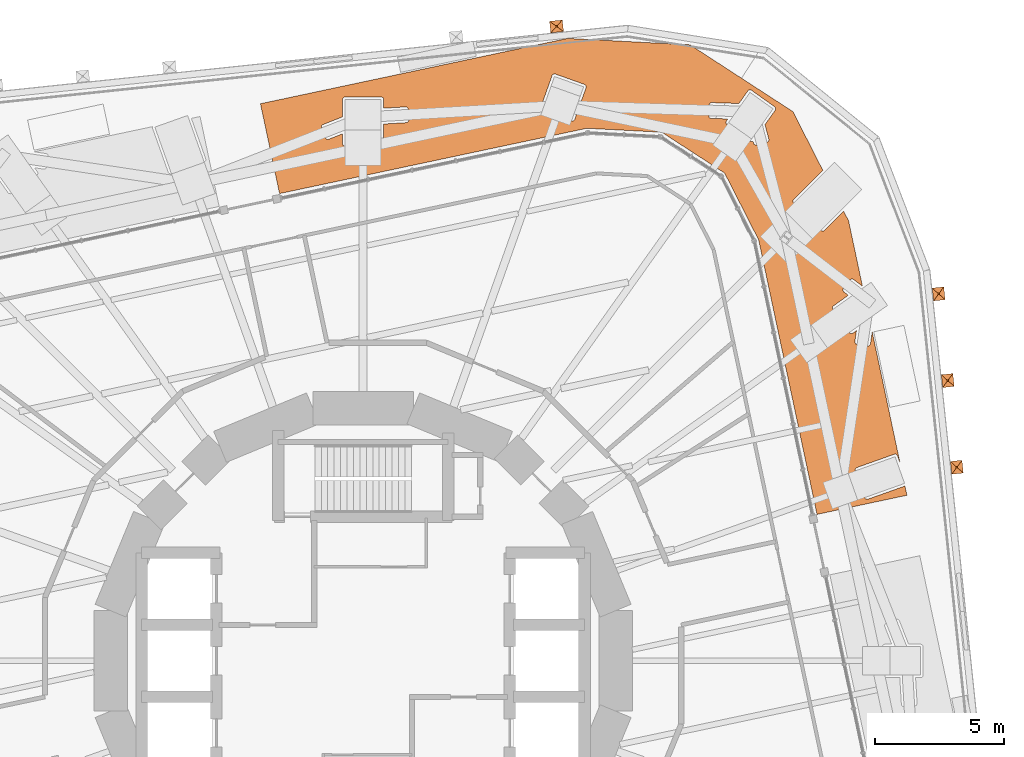
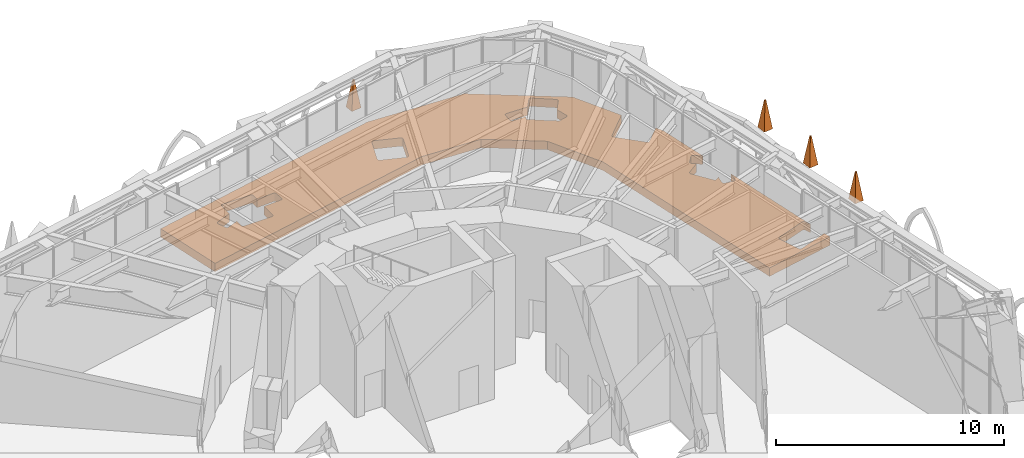
# One storey, part 23 of 23: 5 proxies.
"""IFC4 building model written with IfcOpenShell, lengths in metres."""

from ifc_helpers import new_model, entity, si_unit, direction, frame, origin, place, context, subcontext, project, spatial, polyline, outline, extrude, material, type_object, element, save


model = new_model("IFC4")

# Units and contexts
model_context = context("Model", 3, precision=1e-05, world=origin(), true_north=direction((0.0, 1.0)))
body_context = subcontext(model_context, "Body", "Model", "MODEL_VIEW")
ifc_project = project(units=[si_unit("LENGTHUNIT", "METRE"), si_unit("AREAUNIT", "SQUARE_METRE"), si_unit("VOLUMEUNIT", "CUBIC_METRE"), si_unit("PLANEANGLEUNIT", "RADIAN"), si_unit("MASSUNIT", "GRAM", prefix="KILO")], contexts=[model_context])

# Site, building, storey
site_placement = place(None, origin())
site = spatial("IfcSite", under=ifc_project, at=site_placement, CompositionType="ELEMENT")
building_placement = place(site_placement, origin())
building = spatial("IfcBuilding", under=site, at=building_placement, Name="Nakasero Lantern House", CompositionType="ELEMENT")
storey_placement = place(building_placement, frame((0.0, 0.0, 95.14990234375)))
storey = spatial("IfcBuildingStorey", under=building, at=storey_placement, Name="L23", CompositionType="ELEMENT", Elevation=95.14990234375)

# Proxies
ifc_material_1 = material(Name="Concrete C40/50 precast", Category="concrete")
building_element_proxy_type_1 = type_object("IfcBuildingElementProxyType", Name="Pinnacle 500x450", PredefinedType="USERDEFINED", material=ifc_material_1)
for number, where, z_axis, x_axis, name in (
    (1, (23.065185546875, 7.522216796875, 1.10009765625), (0.0, 0.0, 1.0), (0.994521895368, 0.104528463268, 0.0), "Pinnacle B2 0-02"),
    (2, (22.711181640625, 10.88916015625, 1.10009765625), (0.0, 0.0, 1.0), (0.994521895368, 0.104528463268, 0.0), "Pinnacle B2 0-03"),
    (3, (22.357421875, 14.256103515625, 1.10009765625), (0.0, 0.0, 1.0), (0.994521895368, 0.104528463268, 0.0), "Pinnacle B2 0-04"),
    (4, (7.514404296875, 24.6455078125, 1.10009765625), (0.0, 0.0, 1.0), (-0.104528463268, 0.994521895368, 0.0), "Pinnacle B2 1-00"),
):
    element("IfcBuildingElementProxy", number, at=place(storey_placement, frame(where, z_axis=z_axis, x_axis=x_axis)), inside=storey, type_object=building_element_proxy_type_1, Name=name, ObjectType="PINNACLE", PredefinedType="USERDEFINED", context=body_context, shape_type="SweptSolid", body=[
        entity("IfcExtrudedAreaSolidTapered", entity("IfcRectangleProfileDef", "AREA", None, entity("IfcAxis2Placement2D", entity("IfcCartesianPoint", [0.0, 0.0])), 0.449951171875, 0.5), entity("IfcAxis2Placement3D", entity("IfcCartesianPoint", [0.0, 0.0, 0.0])), entity("IfcDirection", [0.0, 0.0, 1.0]), 1.5, entity("IfcRectangleProfileDef", "AREA", None, entity("IfcAxis2Placement2D", entity("IfcCartesianPoint", [0.0, 0.0])), 0.06005859375, 0.06005859375)),
    ])
ifc_material_2 = material(Name="Planting substrate", Category="soil")
building_element_proxy_type_2 = type_object("IfcBuildingElementProxyType", Name="Planter bed 450", PredefinedType="USERDEFINED", material=ifc_material_2)
proxy_placement = place(storey_placement, origin())
element("IfcBuildingElementProxy", 5, at=proxy_placement, inside=storey, type_object=building_element_proxy_type_2, Name="Planter bed L23 3-1", ObjectType="PLANTER BED", PredefinedType="USERDEFINED", context=body_context, shape_type="SweptSolid", body=[
    extrude(outline(polyline([(16.696044921875, 21.337646484375), (17.85693359375, 19.05908203125), (16.72265625, 17.924560546875), (16.716064453125, 17.91748046875), (16.710205078125, 17.909423828125), (16.705078125, 17.901123046875), (16.700927734375, 17.892333984375), (16.697509765625, 17.883056640625), (16.6953125, 17.87353515625), (16.69384765625, 17.86376953125), (16.693359375, 17.85400390625), (16.69384765625, 17.84423828125), (16.6953125, 17.83447265625), (16.697509765625, 17.824951171875), (16.700927734375, 17.815673828125), (16.705078125, 17.806884765625), (16.710205078125, 17.79833984375), (16.716064453125, 17.79052734375), (16.72265625, 17.783203125), (17.783203125, 16.72265625), (17.79052734375, 16.716064453125), (17.79833984375, 16.710205078125), (17.806884765625, 16.705078125), (17.815673828125, 16.700927734375), (17.824951171875, 16.697509765625), (17.83447265625, 16.6953125), (17.84423828125, 16.69384765625), (17.85400390625, 16.693359375), (17.86376953125, 16.69384765625), (17.87353515625, 16.6953125), (17.883056640625, 16.697509765625), (17.892333984375, 16.700927734375), (17.901123046875, 16.705078125), (17.909423828125, 16.710205078125), (17.91748046875, 16.716064453125), (17.924560546875, 16.72265625), (18.66845703125, 17.46630859375), (18.85791015625, 17.09423828125), (19.390869140625, 14.586669921875), (19.36962890625, 14.571533203125), (19.338134765625, 14.595703125), (19.051513671875, 14.816650390625), (19.04345703125, 14.822265625), (19.034912109375, 14.826904296875), (19.02587890625, 14.830810546875), (19.0166015625, 14.833984375), (19.0068359375, 14.8359375), (18.9970703125, 14.837158203125), (18.9873046875, 14.83740234375), (18.9775390625, 14.836669921875), (18.968017578125, 14.834716796875), (18.95849609375, 14.83203125), (18.949462890625, 14.82861328125), (18.940673828125, 14.823974609375), (18.932373046875, 14.81884765625), (18.924560546875, 14.812744140625), (18.91748046875, 14.805908203125), (18.9111328125, 14.79833984375), (18.65966796875, 14.471923828125), (18.654052734375, 14.4638671875), (18.6494140625, 14.455322265625), (18.6455078125, 14.4462890625), (18.642333984375, 14.43701171875), (18.640380859375, 14.42724609375), (18.63916015625, 14.41748046875), (18.638916015625, 14.40771484375), (18.6396484375, 14.39794921875), (18.6416015625, 14.388427734375), (18.644287109375, 14.37890625), (18.647705078125, 14.36962890625), (18.65234375, 14.361083984375), (18.657470703125, 14.352783203125), (18.66357421875, 14.344970703125), (18.67041015625, 14.337890625), (18.677978515625, 14.33154296875), (18.847900390625, 14.20068359375), (18.272705078125, 13.79150390625), (18.26513671875, 13.785400390625), (18.258056640625, 13.77880859375), (18.251708984375, 13.771240234375), (18.24609375, 13.76318359375), (18.2412109375, 13.754638671875), (18.2373046875, 13.74560546875), (18.234130859375, 13.736328125), (18.232177734375, 13.726806640625), (18.23095703125, 13.717041015625), (18.230712890625, 13.707275390625), (18.2314453125, 13.697265625), (18.233154296875, 13.687744140625), (18.23583984375, 13.67822265625), (18.239501953125, 13.669189453125), (18.243896484375, 13.660400390625), (18.249267578125, 13.652099609375), (18.88671875, 12.755615234375), (18.892822265625, 12.748046875), (18.899658203125, 12.740966796875), (18.906982421875, 12.734619140625), (18.9150390625, 12.72900390625), (18.923583984375, 12.72412109375), (18.9326171875, 12.72021484375), (18.94189453125, 12.717041015625), (18.95166015625, 12.715087890625), (18.961181640625, 12.7138671875), (18.97119140625, 12.713623046875), (18.98095703125, 12.71435546875), (18.990478515625, 12.716064453125), (19.0, 12.71875), (19.009033203125, 12.722412109375), (19.017822265625, 12.726806640625), (19.026123046875, 12.732177734375), (19.165771484375, 12.83154296875), (19.102294921875, 12.410400390625), (19.101318359375, 12.400634765625), (19.101318359375, 12.390625), (19.102294921875, 12.380859375), (19.104248046875, 12.371337890625), (19.107177734375, 12.36181640625), (19.11083984375, 12.352783203125), (19.115478515625, 12.34423828125), (19.120849609375, 12.3359375), (19.126953125, 12.328369140625), (19.134033203125, 12.321533203125), (19.1416015625, 12.315185546875), (19.149658203125, 12.309814453125), (19.158447265625, 12.30517578125), (19.16748046875, 12.30126953125), (19.1767578125, 12.29833984375), (19.186279296875, 12.296630859375), (19.593994140625, 12.235107421875), (19.603759765625, 12.234130859375), (19.613525390625, 12.234130859375), (19.623291015625, 12.235107421875), (19.633056640625, 12.23681640625), (19.642333984375, 12.23974609375), (19.6513671875, 12.243408203125), (19.66015625, 12.248046875), (19.668212890625, 12.25341796875), (19.67578125, 12.259765625), (19.682861328125, 12.2666015625), (19.68896484375, 12.274169921875), (19.694580078125, 12.282470703125), (19.69921875, 12.291015625), (19.702880859375, 12.300048828125), (19.705810546875, 12.309326171875), (19.707763671875, 12.319091796875), (19.74853515625, 12.589599609375), (19.7763671875, 12.77392578125), (20.858642578125, 7.682373046875), (20.75830078125, 7.96435546875), (20.75439453125, 7.9736328125), (20.75, 7.982177734375), (20.744384765625, 7.990234375), (20.73828125, 7.998046875), (20.7314453125, 8.0048828125), (20.723876953125, 8.01123046875), (20.715576171875, 8.0166015625), (20.70703125, 8.021240234375), (20.697998046875, 8.025146484375), (20.6884765625, 8.02783203125), (20.678955078125, 8.02978515625), (20.669189453125, 8.03076171875), (20.659423828125, 8.03076171875), (20.649658203125, 8.02978515625), (20.639892578125, 8.028076171875), (20.630615234375, 8.025146484375), (19.64404296875, 7.67431640625), (19.180419921875, 7.509521484375), (19.17138671875, 7.505859375), (19.162841796875, 7.501220703125), (19.154541015625, 7.495849609375), (19.14697265625, 7.489501953125), (19.14013671875, 7.482666015625), (19.1337890625, 7.47509765625), (19.12841796875, 7.467041015625), (19.123779296875, 7.458251953125), (19.119873046875, 7.44921875), (19.116943359375, 7.43994140625), (19.114990234375, 7.43017578125), (19.114013671875, 7.42041015625), (19.114013671875, 7.41064453125), (19.114990234375, 7.40087890625), (19.116943359375, 7.391357421875), (19.119873046875, 7.3818359375), (19.48828125, 6.345458984375), (19.491943359375, 6.33642578125), (19.49658203125, 6.32763671875), (19.501953125, 6.319580078125), (19.50830078125, 6.31201171875), (19.51513671875, 6.304931640625), (19.522705078125, 6.298828125), (19.531005859375, 6.293212890625), (19.53955078125, 6.28857421875), (19.548583984375, 6.284912109375), (19.55810546875, 6.281982421875), (19.567626953125, 6.280029296875), (19.577392578125, 6.279052734375), (19.587158203125, 6.279052734375), (19.596923828125, 6.280029296875), (19.606689453125, 6.281982421875), (19.615966796875, 6.28466796875), (20.6025390625, 6.635498046875), (21.04736328125, 6.793701171875), (21.124267578125, 6.4326171875), (17.63232421875, 5.690185546875), (15.365966796875, 16.35205078125), (14.04296875, 18.94873046875), (11.598876953125, 20.535888671875), (8.6884765625, 20.6884765625), (-3.244873046875, 18.152099609375), (-3.987060546875, 21.64404296875), (7.9462890625, 24.180419921875), (12.701904296875, 23.931396484375), (16.696044921875, 21.337646484375)]), holes=[polyline([(-1.3818359375, 20.258544921875), (-1.3720703125, 20.2578125), (-1.362060546875, 20.258056640625), (-1.3525390625, 20.25927734375), (-1.3427734375, 20.261474609375), (-1.33349609375, 20.2646484375), (-0.800048828125, 20.4736328125), (-0.800048828125, 20.098876953125), (-0.799560546875, 20.089111328125), (-0.798095703125, 20.079345703125), (-0.795654296875, 20.06982421875), (-0.79248046875, 20.060546875), (-0.7880859375, 20.0517578125), (-0.783203125, 20.043212890625), (-0.77734375, 20.035400390625), (-0.770751953125, 20.028076171875), (-0.763427734375, 20.021484375), (-0.755615234375, 20.015625), (-0.7470703125, 20.0107421875), (-0.73828125, 20.00634765625), (-0.72900390625, 20.003173828125), (-0.719482421875, 20.000732421875), (-0.709716796875, 19.999267578125), (-0.699951171875, 19.998779296875), (0.699951171875, 19.998779296875), (0.709716796875, 19.999267578125), (0.719482421875, 20.000732421875), (0.72900390625, 20.003173828125), (0.73828125, 20.00634765625), (0.7470703125, 20.0107421875), (0.755615234375, 20.015625), (0.763427734375, 20.021484375), (0.770751953125, 20.028076171875), (0.77734375, 20.035400390625), (0.783203125, 20.043212890625), (0.7880859375, 20.0517578125), (0.79248046875, 20.060546875), (0.795654296875, 20.06982421875), (0.798095703125, 20.079345703125), (0.799560546875, 20.089111328125), (0.800048828125, 20.098876953125), (0.800048828125, 20.85595703125), (1.412353515625, 20.891845703125), (1.6806640625, 20.90771484375), (1.6904296875, 20.90869140625), (1.699951171875, 20.91064453125), (1.70947265625, 20.91357421875), (1.718505859375, 20.91748046875), (1.72705078125, 20.922119140625), (1.735107421875, 20.927734375), (1.74267578125, 20.93408203125), (1.74951171875, 20.94091796875), (1.755615234375, 20.94873046875), (1.760986328125, 20.956787109375), (1.765625, 20.965576171875), (1.769287109375, 20.974609375), (1.77197265625, 20.984130859375), (1.77392578125, 20.99365234375), (1.774658203125, 21.00341796875), (1.774658203125, 21.013427734375), (1.75048828125, 21.4248046875), (1.74951171875, 21.4345703125), (1.747314453125, 21.444091796875), (1.744384765625, 21.45361328125), (1.74072265625, 21.462646484375), (1.73583984375, 21.47119140625), (1.73046875, 21.479248046875), (1.72412109375, 21.48681640625), (1.717041015625, 21.49365234375), (1.70947265625, 21.499755859375), (1.701171875, 21.505126953125), (1.692626953125, 21.509765625), (1.683349609375, 21.513427734375), (1.674072265625, 21.51611328125), (1.664306640625, 21.51806640625), (1.654541015625, 21.518798828125), (1.644775390625, 21.518798828125), (0.800048828125, 21.46923828125), (0.800048828125, 21.802490234375), (0.799560546875, 21.812255859375), (0.798095703125, 21.822021484375), (0.795654296875, 21.83154296875), (0.79248046875, 21.8408203125), (0.7880859375, 21.849609375), (0.783203125, 21.858154296875), (0.77734375, 21.865966796875), (0.770751953125, 21.873291015625), (0.763427734375, 21.8798828125), (0.755615234375, 21.8857421875), (0.7470703125, 21.890625), (0.73828125, 21.89501953125), (0.72900390625, 21.898193359375), (0.719482421875, 21.900634765625), (0.709716796875, 21.902099609375), (0.699951171875, 21.902587890625), (-0.699951171875, 21.902587890625), (-0.709716796875, 21.902099609375), (-0.719482421875, 21.900634765625), (-0.72900390625, 21.898193359375), (-0.73828125, 21.89501953125), (-0.7470703125, 21.890625), (-0.755615234375, 21.8857421875), (-0.763427734375, 21.8798828125), (-0.770751953125, 21.873291015625), (-0.77734375, 21.865966796875), (-0.783203125, 21.858154296875), (-0.7880859375, 21.849609375), (-0.79248046875, 21.8408203125), (-0.795654296875, 21.83154296875), (-0.798095703125, 21.822021484375), (-0.799560546875, 21.812255859375), (-0.800048828125, 21.802490234375), (-0.800048828125, 21.131103515625), (-1.2939453125, 20.937744140625), (-1.556884765625, 20.834716796875), (-1.565673828125, 20.830810546875), (-1.57421875, 20.825927734375), (-1.582275390625, 20.820068359375), (-1.589599609375, 20.813720703125), (-1.596435546875, 20.806640625), (-1.602294921875, 20.798828125), (-1.607666015625, 20.79052734375), (-1.612060546875, 20.78173828125), (-1.615478515625, 20.7724609375), (-1.617919921875, 20.762939453125), (-1.61962890625, 20.75341796875), (-1.620361328125, 20.74365234375), (-1.6201171875, 20.733642578125), (-1.618896484375, 20.72412109375), (-1.61669921875, 20.71435546875), (-1.613525390625, 20.705078125), (-1.463134765625, 20.3212890625), (-1.459228515625, 20.3125), (-1.454345703125, 20.303955078125), (-1.448486328125, 20.2958984375), (-1.442138671875, 20.28857421875), (-1.43505859375, 20.28173828125), (-1.42724609375, 20.275634765625), (-1.4189453125, 20.2705078125), (-1.41015625, 20.26611328125), (-1.40087890625, 20.2626953125), (-1.391357421875, 20.260009765625), (-1.3818359375, 20.258544921875)]), polyline([(8.19677734375, 20.9990234375), (8.20361328125, 21.006103515625), (8.2099609375, 21.013671875), (8.21533203125, 21.021728515625), (8.219970703125, 21.030517578125), (8.2236328125, 21.03955078125), (8.624755859375, 22.167724609375), (8.659423828125, 22.26513671875), (8.662109375, 22.2744140625), (8.6640625, 22.283935546875), (8.6650390625, 22.293701171875), (8.6650390625, 22.3037109375), (8.6640625, 22.3134765625), (8.662109375, 22.322998046875), (8.6591796875, 22.33251953125), (8.655517578125, 22.341552734375), (8.65087890625, 22.35009765625), (8.645263671875, 22.358154296875), (8.63916015625, 22.36572265625), (8.632080078125, 22.372802734375), (8.62451171875, 22.37890625), (8.616455078125, 22.384521484375), (8.607666015625, 22.388916015625), (8.5986328125, 22.392822265625), (7.468017578125, 22.794677734375), (7.45849609375, 22.797607421875), (7.448974609375, 22.799560546875), (7.439208984375, 22.800537109375), (7.429443359375, 22.80029296875), (7.419677734375, 22.79931640625), (7.409912109375, 22.797607421875), (7.400634765625, 22.794677734375), (7.3916015625, 22.790771484375), (7.3828125, 22.7861328125), (7.374755859375, 22.78076171875), (7.3671875, 22.7744140625), (7.3603515625, 22.767578125), (7.35400390625, 22.760009765625), (7.3486328125, 22.751708984375), (7.343994140625, 22.7431640625), (7.34033203125, 22.734130859375), (7.3056640625, 22.63671875), (6.904541015625, 21.508544921875), (6.901611328125, 21.4990234375), (6.89990234375, 21.489501953125), (6.89892578125, 21.479736328125), (6.89892578125, 21.469970703125), (6.89990234375, 21.460205078125), (6.90185546875, 21.450439453125), (6.90478515625, 21.441162109375), (6.908447265625, 21.43212890625), (6.9130859375, 21.42333984375), (6.91845703125, 21.415283203125), (6.9248046875, 21.40771484375), (6.931640625, 21.40087890625), (6.939453125, 21.39453125), (6.947509765625, 21.38916015625), (6.956298828125, 21.384521484375), (6.96533203125, 21.380859375), (8.095947265625, 20.978759765625), (8.105224609375, 20.975830078125), (8.114990234375, 20.97412109375), (8.124755859375, 20.97314453125), (8.134521484375, 20.97314453125), (8.144287109375, 20.97412109375), (8.15380859375, 20.97607421875), (8.163330078125, 20.97900390625), (8.17236328125, 20.982666015625), (8.180908203125, 20.9873046875), (8.189208984375, 20.99267578125), (8.19677734375, 20.9990234375)]), polyline([(15.24951171875, 20.041015625), (15.25927734375, 20.0400390625), (15.26904296875, 20.040283203125), (15.27880859375, 20.041259765625), (15.28857421875, 20.043212890625), (15.687255859375, 20.147216796875), (15.69677734375, 20.150146484375), (15.705810546875, 20.154052734375), (15.71435546875, 20.15869140625), (15.722412109375, 20.164306640625), (15.72998046875, 20.170654296875), (15.73681640625, 20.177490234375), (15.742919921875, 20.185302734375), (15.748291015625, 20.193359375), (15.7529296875, 20.2021484375), (15.756591796875, 20.211181640625), (15.75927734375, 20.220703125), (15.76123046875, 20.230224609375), (15.761962890625, 20.239990234375), (15.761962890625, 20.25), (15.760986328125, 20.259765625), (15.7587890625, 20.269287109375), (15.61181640625, 20.832763671875), (15.7939453125, 21.088623046875), (16.006103515625, 21.386962890625), (16.011474609375, 21.395263671875), (16.015869140625, 21.404052734375), (16.01953125, 21.4130859375), (16.022216796875, 21.422607421875), (16.02392578125, 21.432373046875), (16.024658203125, 21.442138671875), (16.0244140625, 21.451904296875), (16.023193359375, 21.461669921875), (16.021240234375, 21.47119140625), (16.01806640625, 21.48046875), (16.01416015625, 21.489501953125), (16.00927734375, 21.498046875), (16.003662109375, 21.506103515625), (15.997314453125, 21.513671875), (15.990234375, 21.520263671875), (15.982666015625, 21.5263671875), (15.086181640625, 22.163818359375), (15.077880859375, 22.169189453125), (15.069091796875, 22.173583984375), (15.06005859375, 22.17724609375), (15.050537109375, 22.179931640625), (15.040771484375, 22.181640625), (15.031005859375, 22.182373046875), (15.021240234375, 22.18212890625), (15.011474609375, 22.18115234375), (15.001953125, 22.178955078125), (14.99267578125, 22.17578125), (14.983642578125, 22.171875), (14.97509765625, 22.167236328125), (14.967041015625, 22.16162109375), (14.95947265625, 22.1552734375), (14.95263671875, 22.148193359375), (14.94677734375, 22.140380859375), (14.599365234375, 21.652099609375), (13.544921875, 21.685546875), (13.53515625, 21.685302734375), (13.525390625, 21.68408203125), (13.515869140625, 21.68212890625), (13.506591796875, 21.678955078125), (13.49755859375, 21.675048828125), (13.489013671875, 21.67041015625), (13.48095703125, 21.664794921875), (13.473388671875, 21.658447265625), (13.466552734375, 21.6513671875), (13.46044921875, 21.6435546875), (13.455078125, 21.635498046875), (13.45068359375, 21.626708984375), (13.447021484375, 21.617431640625), (13.4443359375, 21.608154296875), (13.442626953125, 21.598388671875), (13.44189453125, 21.588623046875), (13.4287109375, 21.1767578125), (13.428955078125, 21.166748046875), (13.43017578125, 21.1572265625), (13.43212890625, 21.1474609375), (13.435302734375, 21.13818359375), (13.439208984375, 21.129150390625), (13.44384765625, 21.12060546875), (13.449462890625, 21.112548828125), (13.455810546875, 21.10498046875), (13.462890625, 21.09814453125), (13.470703125, 21.092041015625), (13.478759765625, 21.0869140625), (13.487548828125, 21.082275390625), (13.496826171875, 21.078857421875), (13.506103515625, 21.076171875), (13.515869140625, 21.074462890625), (13.525634765625, 21.073486328125), (13.798095703125, 21.06494140625), (14.17333984375, 21.052978515625), (14.11474609375, 20.97021484375), (14.109375, 20.962158203125), (14.10498046875, 20.953369140625), (14.101318359375, 20.944091796875), (14.0986328125, 20.934814453125), (14.096923828125, 20.925048828125), (14.09619140625, 20.915283203125), (14.096435546875, 20.905517578125), (14.097412109375, 20.895751953125), (14.099609375, 20.88623046875), (14.102783203125, 20.876708984375), (14.106689453125, 20.867919921875), (14.111328125, 20.859130859375), (14.116943359375, 20.851318359375), (14.123291015625, 20.84375), (14.13037109375, 20.8369140625), (14.13818359375, 20.830810546875), (15.03466796875, 20.193359375), (15.04296875, 20.18798828125), (15.0517578125, 20.18359375), (15.060791015625, 20.18017578125), (15.0703125, 20.177490234375), (15.079833984375, 20.17578125), (15.089599609375, 20.175048828125), (15.099365234375, 20.175048828125), (15.109130859375, 20.17626953125), (15.118896484375, 20.178466796875), (15.128173828125, 20.181396484375), (15.13720703125, 20.185302734375), (15.145751953125, 20.190185546875), (15.146728515625, 20.19091796875), (15.16650390625, 20.11474609375), (15.16943359375, 20.10546875), (15.17333984375, 20.096435546875), (15.177978515625, 20.087646484375), (15.18359375, 20.07958984375), (15.189697265625, 20.072021484375), (15.19677734375, 20.065185546875), (15.204345703125, 20.05908203125), (15.212646484375, 20.0537109375), (15.221435546875, 20.049072265625), (15.23046875, 20.04541015625), (15.239990234375, 20.042724609375), (15.24951171875, 20.041015625)])]), origin(), (0.0, 0.0, 1.0), 0.4501953125),
])

save(model, "model.ifc")
